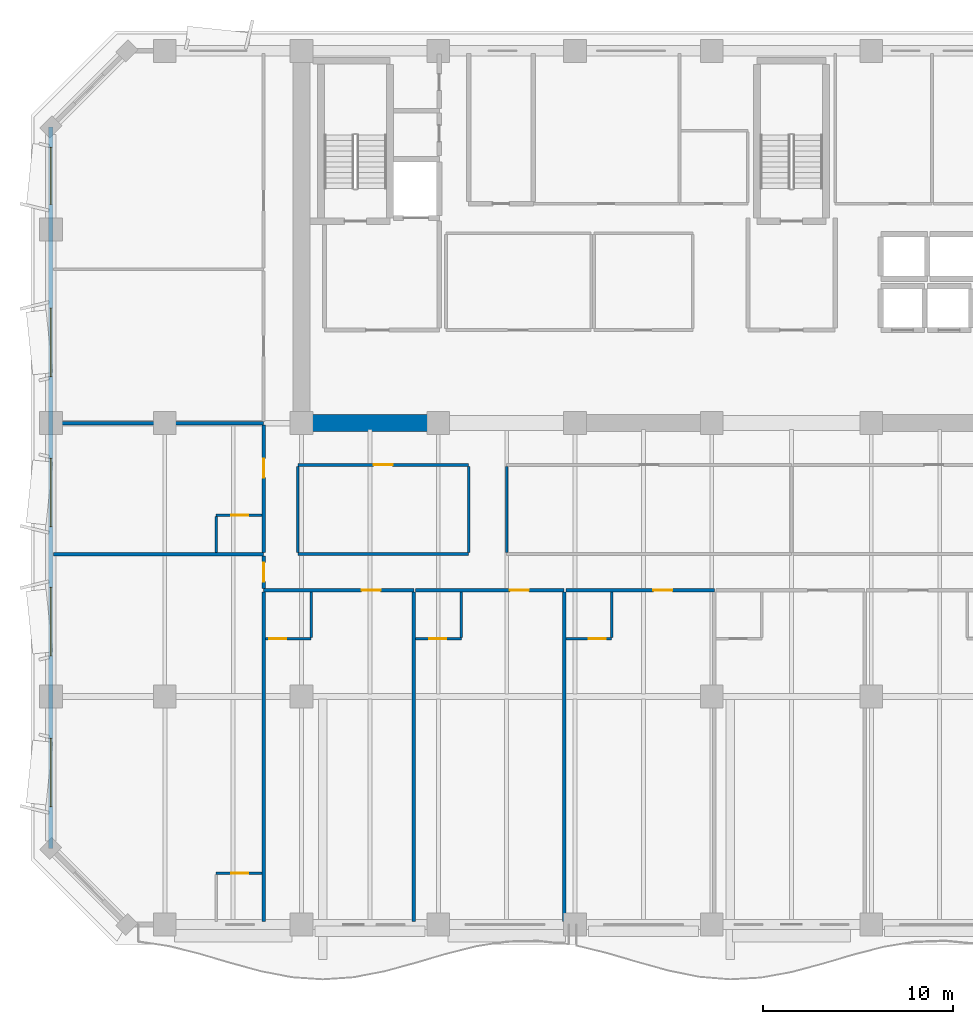
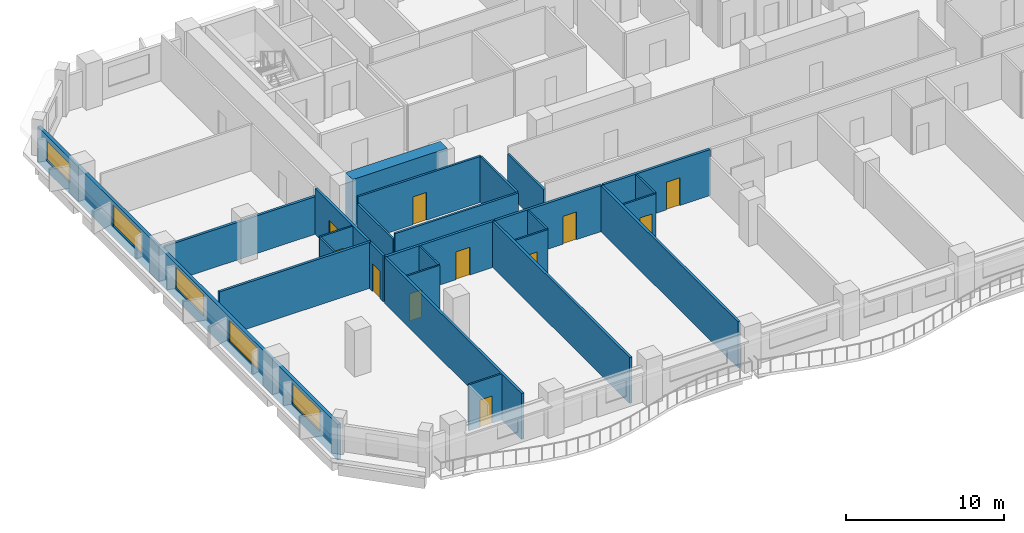
# One storey, part 4 of 15: 26 walls, 11 doors, 5 windows, 16 openings.
"""IFC4 building model written with IfcOpenShell, lengths in metres."""

import ifcopenshell
import ifcopenshell.guid

model = None  # the IFC model being written
_history = None  # IfcOwnerHistory: only IFC2X3 demands one
_inside = {}  # id of a spatial element -> (the spatial element, [elements in it])
_under = {}  # id of a project, library or spatial element -> (it, [spatial elements below it])
_declared = {}  # id of a project -> (the project, [libraries it declares])
_typed = {}  # id of a type object -> (the type object, [elements of that type])
_made_of = {}  # id of a material, layer set ... -> (it, [elements and type objects made of it])


def new_model(schema):
    """Start an empty IFC model of exactly this schema.

    Asked for "IFC4X3", IfcOpenShell would pick the latest addendum, in which some entities
    have other attributes; the version numbers below select the first issue.
    IFC2X3 requires an IfcOwnerHistory on every rooted entity: one is made here for all.
    """
    global model, _history
    if schema == "IFC4X3":
        model = ifcopenshell.file(schema_version=(4, 3, 0, 0))
    else:
        model = ifcopenshell.file(schema=schema)
    _inside.clear()
    _under.clear()
    _declared.clear()
    _typed.clear()
    _made_of.clear()
    _history = None
    if model.schema == "IFC2X3":
        org = make("IfcOrganization", Name="unknown")
        user = make(
            "IfcPersonAndOrganization",
            ThePerson=make("IfcPerson", FamilyName="unknown"),
            TheOrganization=org,
        )
        app = make(
            "IfcApplication",
            ApplicationDeveloper=org,
            Version="unknown",
            ApplicationFullName="unknown",
            ApplicationIdentifier="unknown",
        )
        _history = make(
            "IfcOwnerHistory",
            OwningUser=user,
            OwningApplication=app,
            ChangeAction="ADDED",
            CreationDate=0,
        )
    return model


def make(cls, **values):
    """One entity of the class cls with the attributes given. An attribute that is None is left unset."""
    return model.create_entity(
        cls, **{name: value for name, value in values.items() if value is not None}
    )


def rooted(cls, **values):
    """An entity with a GlobalId (a new one), such as an element, a storey or a relation."""
    return make(cls, GlobalId=ifcopenshell.guid.new(), OwnerHistory=_history, **values)


def si_unit(unit_type, name, prefix=None):
    """IfcSIUnit, for example si_unit("LENGTHUNIT", "METRE", prefix="MILLI")."""
    return make("IfcSIUnit", UnitType=unit_type, Prefix=prefix, Name=name)


def assignment(units):
    """IfcUnitAssignment: the units of a project."""
    return None if units is None else make("IfcUnitAssignment", Units=units)


def point(xyz):
    """IfcCartesianPoint."""
    return None if xyz is None else make("IfcCartesianPoint", Coordinates=xyz)


def direction(xyz):
    """IfcDirection."""
    return None if xyz is None else make("IfcDirection", DirectionRatios=xyz)


def frame(location, z_axis=None, x_axis=None):
    """IfcAxis2Placement3D, a coordinate frame: its origin and axes. An axis left out is left unset."""
    return make(
        "IfcAxis2Placement3D",
        Location=point(location),
        Axis=direction(z_axis),
        RefDirection=direction(x_axis),
    )


def frame_2d(location, x_axis=None):
    """IfcAxis2Placement2D, a coordinate frame in the plane: its origin and x axis."""
    return make(
        "IfcAxis2Placement2D", Location=point(location), RefDirection=direction(x_axis)
    )


def origin():
    """The frame at (0, 0, 0) with its axes left unset."""
    return frame((0.0, 0.0, 0.0))


def place(relative_to, where):
    """IfcLocalPlacement: puts the frame where relative to a parent placement (None: the world)."""
    return make(
        "IfcLocalPlacement", PlacementRelTo=relative_to, RelativePlacement=where
    )


def context(
    kind, dimensions, precision=None, world=None, true_north=None, identifier=None
):
    """IfcGeometricRepresentationContext, for example the 3D "Model" context."""
    return make(
        "IfcGeometricRepresentationContext",
        ContextIdentifier=identifier,
        ContextType=kind,
        CoordinateSpaceDimension=dimensions,
        Precision=precision,
        WorldCoordinateSystem=world,
        TrueNorth=true_north,
    )


def subcontext(parent, identifier, kind, view, scale=None):
    """IfcGeometricRepresentationSubContext, for example "Body" below "Model"."""
    return make(
        "IfcGeometricRepresentationSubContext",
        ContextIdentifier=identifier,
        ContextType=kind,
        ParentContext=parent,
        TargetScale=scale,
        TargetView=view,
    )


def project(units=None, contexts=None):
    """IfcProject with its units and contexts."""
    return rooted(
        "IfcProject",
        Name="project",
        RepresentationContexts=contexts,
        UnitsInContext=assignment(units),
    )


def spatial(cls, under=None, at=None, **own):
    """A site, building, storey or space (cls), placed at a placement, below another one or the project."""
    s = rooted(cls, ObjectPlacement=at, **own)
    if under is not None:
        _under.setdefault(under.id(), (under, []))[1].append(s)
    return s


def profile(cls, at=None, kind="AREA", **sizes):
    """A parametric profile (cls). Its sizes go by their IFC names, for example OverallWidth=200.0."""
    return make(cls, ProfileType=kind, Position=at, **sizes)


def rectangle(**sizes):
    """IfcRectangleProfileDef."""
    return profile("IfcRectangleProfileDef", **sizes)


def extrude(swept, where, along, depth):
    """IfcExtrudedAreaSolid: the profile swept, set in the frame where, extruded along a direction by depth."""
    return make(
        "IfcExtrudedAreaSolid",
        SweptArea=swept,
        Position=where,
        ExtrudedDirection=direction(along),
        Depth=depth,
    )


def shape(context_of_items, identifier, shape_type, items):
    """IfcShapeRepresentation: the items that make up one representation, for example the "Body"."""
    return make(
        "IfcShapeRepresentation",
        ContextOfItems=context_of_items,
        RepresentationIdentifier=identifier,
        RepresentationType=shape_type,
        Items=items,
    )


def material(Name=None, Category=None):
    """IfcMaterial."""
    return make("IfcMaterial", Name=Name, Category=Category)


def layer(
    of_material, thickness, ventilated=None, Name=None, Category=None, Priority=None
):
    """IfcMaterialLayer: one layer of a wall or slab, of a material (None: an air gap)."""
    return make(
        "IfcMaterialLayer",
        Material=of_material,
        LayerThickness=thickness,
        IsVentilated=ventilated,
        Name=Name,
        Category=Category,
        Priority=Priority,
    )


def layer_set(layers, Name=None):
    """IfcMaterialLayerSet."""
    return make("IfcMaterialLayerSet", MaterialLayers=layers, LayerSetName=Name)


def made_of(thing, what):
    """Note that an element or type object is made of a material, layer set ...; save() writes the relation."""
    if what is not None:
        _made_of.setdefault(what.id(), (what, []))[1].append(thing)
    return thing


def type_object(cls, material=None, **own):
    """A type object (cls), such as IfcWallType, which elements share."""
    return made_of(rooted(cls, **own), material)


def element(
    cls,
    number,
    at=None,
    inside=None,
    cuts=None,
    type_object=None,
    material=None,
    context=None,
    identifier="Body",
    shape_type=None,
    held_by="IfcProductDefinitionShape",
    body=None,
    shapes=None,
    **own,
):
    """One element of the class cls, such as IfcWall. Its Tag is "e" and its number.

    at: its placement. inside: the storey or other place that contains it. cuts: it is an
    opening in that element (IfcRelVoidsElement). A single representation is given by context,
    identifier, shape_type and body (its items); several are given by shapes. held_by: the class
    of the entity that holds the representations. save() writes the other relations.
    """
    e = rooted(cls, Tag="e%d" % number, ObjectPlacement=at, **own)
    if body is not None:
        shapes = [shape(context, identifier, shape_type, body)]
    if shapes is not None:
        e.Representation = make(held_by, Representations=shapes)
    if inside is not None:
        _inside.setdefault(inside.id(), (inside, []))[1].append(e)
    if cuts is not None:
        rooted(
            "IfcRelVoidsElement", RelatingBuildingElement=cuts, RelatedOpeningElement=e
        )
    if type_object is not None:
        _typed.setdefault(type_object.id(), (type_object, []))[1].append(e)
    return made_of(e, material)


def fill(opening, filler):
    """IfcRelFillsElement: the door or window that sits in an opening."""
    return rooted(
        "IfcRelFillsElement",
        RelatingOpeningElement=opening,
        RelatedBuildingElement=filler,
    )


def aggregate(whole, parts):
    """IfcRelAggregates: a whole, such as a stair, and the parts it consists of."""
    return rooted("IfcRelAggregates", RelatingObject=whole, RelatedObjects=parts)


def save(model, path):
    """Write the relations noted so far, then the file.

    IfcRelAggregates (storeys below a building ...), IfcRelContainedInSpatialStructure (elements
    in a storey), IfcRelDefinesByType, IfcRelAssociatesMaterial and IfcRelDeclares: one each for
    every whole, place, type object, material and project.
    """
    for whole, parts in _under.values():
        aggregate(whole, parts)
    for where, things in _inside.values():
        rooted(
            "IfcRelContainedInSpatialStructure",
            RelatedElements=things,
            RelatingStructure=where,
        )
    for kind, things in _typed.values():
        rooted("IfcRelDefinesByType", RelatedObjects=things, RelatingType=kind)
    for what, things in _made_of.values():
        rooted("IfcRelAssociatesMaterial", RelatedObjects=things, RelatingMaterial=what)
    for by, libraries in _declared.values():
        rooted("IfcRelDeclares", RelatingContext=by, RelatedDefinitions=libraries)
    model.write(path)


model = new_model("IFC4")

# Units and contexts
model_context = context("Model", 3, precision=1e-05, world=origin(), true_north=direction((0.0, 1.0)))
body_context = subcontext(model_context, "Body", "Model", "MODEL_VIEW")
ifc_project = project(units=[si_unit("LENGTHUNIT", "METRE"), si_unit("AREAUNIT", "SQUARE_METRE"), si_unit("VOLUMEUNIT", "CUBIC_METRE"), si_unit("PLANEANGLEUNIT", "RADIAN"), si_unit("MASSUNIT", "GRAM", prefix="KILO")], contexts=[model_context])

# Site, building, storey
site_placement = place(None, origin())
site = spatial("IfcSite", under=ifc_project, at=site_placement, CompositionType="ELEMENT")
building_placement = place(site_placement, origin())
building = spatial("IfcBuilding", under=site, at=building_placement, Name="Kaelvorn Grand Hotel", CompositionType="ELEMENT")
storey_placement = place(building_placement, frame((0.0, 0.0, 177.14990234375)))
storey = spatial("IfcBuildingStorey", under=building, at=storey_placement, Name="L43", CompositionType="ELEMENT", Elevation=177.14990234375)

# Wall
ifc_material_1 = material(Name="Concrete C60/75", Category="concrete")
ifc_layer_1 = layer(ifc_material_1, 0.89990234375)
ifc_layer_set_1 = layer_set([ifc_layer_1], Name="Concrete C60/75")
wall_type_1 = type_object("IfcWallType", Name="WL-CORE-900-C60", PredefinedType="SHEAR", material=ifc_layer_set_1)
wall_1_placement = place(storey_placement, frame((16.655029296875, 29.39990234375, 0.0), z_axis=(0.0, 0.0, 1.0), x_axis=(1.0, 0.0, 0.0)))
element("IfcWall", 1, at=wall_1_placement, inside=storey, type_object=wall_type_1, Name="L43 Rear-Core Coupled Shear Pier S1", PredefinedType="SHEAR", context=body_context, shape_type="SweptSolid", body=[
    extrude(rectangle(XDim=6.945068359375, YDim=0.89990234375, at=frame_2d((3.47265625, 0.0))), origin(), (0.0, 0.0, 1.0), 3.56005859375),
])

# Wall, openings, windows
ifc_material_2 = material(Name="Concrete C40/50", Category="concrete")
ifc_layer_2 = layer(ifc_material_2, 0.239990234375)
ifc_layer_set_2 = layer_set([ifc_layer_2], Name="Concrete C40/50")
wall_type_2 = type_object("IfcWallType", Name="WL-EXT-240-C40", PredefinedType="SOLIDWALL", material=ifc_layer_set_2)
wall_2_placement = place(storey_placement, frame((3.0, 45.0, 0.0), z_axis=(0.0, 0.0, 1.0), x_axis=(0.0, -1.0, 0.0)))
wall_2 = element("IfcWall", 2, at=wall_2_placement, inside=storey, type_object=wall_type_2, Name="L43 Exterior Architectural Concrete Wall 07", PredefinedType="SOLIDWALL", context=body_context, shape_type="SweptSolid", body=[
    extrude(rectangle(XDim=38.0, YDim=0.239990234375, at=frame_2d((19.0, 0.0))), origin(), (0.0, 0.0, 1.0), 2.760009765625),
])
opening_1_placement = place(wall_2_placement, frame((32.199951171875, 0.0, 0.85009765625)))
opening_1 = element("IfcOpeningElement", 3, at=opening_1_placement, cuts=wall_2, Name="Opening W3", PredefinedType="OPENING", context=body_context, shape_type="SweptSolid", body=[
    extrude(rectangle(XDim=3.60009765625, YDim=1.64990234375, at=frame_2d((1.800048828125, 0.824951171875))), frame((0.0, 0.1298828125, 0.0), z_axis=(0.0, -1.0, 0.0), x_axis=(1.0, 0.0, 0.0)), (0.0, 0.0, 1.0), 0.260009765625),
])
opening_2_placement = place(wall_2_placement, frame((24.25, 0.0, 0.85009765625)))
opening_2 = element("IfcOpeningElement", 4, at=opening_2_placement, cuts=wall_2, Name="Opening W3", PredefinedType="OPENING", context=body_context, shape_type="SweptSolid", body=[
    extrude(rectangle(XDim=3.60009765625, YDim=1.64990234375, at=frame_2d((1.800048828125, 0.824951171875))), frame((0.0, 0.1298828125, 0.0), z_axis=(0.0, -1.0, 0.0), x_axis=(1.0, 0.0, 0.0)), (0.0, 0.0, 1.0), 0.260009765625),
])
opening_3_placement = place(wall_2_placement, frame((17.449951171875, 0.0, 0.85009765625)))
opening_3 = element("IfcOpeningElement", 5, at=opening_3_placement, cuts=wall_2, Name="Opening W3", PredefinedType="OPENING", context=body_context, shape_type="SweptSolid", body=[
    extrude(rectangle(XDim=3.60009765625, YDim=1.64990234375, at=frame_2d((1.800048828125, 0.824951171875))), frame((0.0, 0.1298828125, 0.0), z_axis=(0.0, -1.0, 0.0), x_axis=(1.0, 0.0, 0.0)), (0.0, 0.0, 1.0), 0.260009765625),
])
opening_4_placement = place(wall_2_placement, frame((9.550048828125, 0.0, 0.85009765625)))
opening_4 = element("IfcOpeningElement", 6, at=opening_4_placement, cuts=wall_2, Name="Opening W3", PredefinedType="OPENING", context=body_context, shape_type="SweptSolid", body=[
    extrude(rectangle(XDim=3.60009765625, YDim=1.64990234375, at=frame_2d((1.800048828125, 0.824951171875))), frame((0.0, 0.1298828125, 0.0), z_axis=(0.0, -1.0, 0.0), x_axis=(1.0, 0.0, 0.0)), (0.0, 0.0, 1.0), 0.260009765625),
])
opening_5_placement = place(wall_2_placement, frame((1.0849609375, 0.0, 0.85009765625)))
opening_5 = element("IfcOpeningElement", 7, at=opening_5_placement, cuts=wall_2, Name="Opening W5", PredefinedType="OPENING", context=body_context, shape_type="SweptSolid", body=[
    extrude(rectangle(XDim=3.0, YDim=1.5, at=frame_2d((1.5, 0.75))), frame((0.0, 0.1298828125, 0.0), z_axis=(0.0, -1.0, 0.0), x_axis=(1.0, 0.0, 0.0)), (0.0, 0.0, 1.0), 0.260009765625),
])
ifc_material_3 = material(Name="Laminated Low-E Glass", Category="glass")
window_type_1 = type_object("IfcWindowType", Name="WIN-NTH-3000x1500", PartitioningType="SINGLE_PANEL", PredefinedType="WINDOW", material=ifc_material_3)
window_1_placement = place(opening_5_placement, origin())
window_1 = element("IfcWindow", 8, at=window_1_placement, inside=storey, type_object=window_type_1, Name="L43 W Wing Tilted-Frame Ribbon Window W05", OverallHeight=1.5, OverallWidth=3.0, PartitioningType="SINGLE_PANEL", PredefinedType="WINDOW", context=body_context, shape_type="SweptSolid", body=[
    extrude(rectangle(XDim=3.0, YDim=1.5, at=frame_2d((1.5, 0.75))), frame((0.0, 0.030029296875, 0.0), z_axis=(0.0, -1.0, 0.0), x_axis=(1.0, 0.0, 0.0)), (0.0, 0.0, 1.0), 0.06005859375),
])
fill(opening_5, window_1)
window_type_2 = type_object("IfcWindowType", Name="WIN-RIB-3600x1750", PartitioningType="SINGLE_PANEL", PredefinedType="WINDOW", material=ifc_material_3)
window_2_placement = place(opening_1_placement, origin())
window_2 = element("IfcWindow", 9, at=window_2_placement, inside=storey, type_object=window_type_2, Name="L43 W Wing Tilted-Frame Ribbon Window W01", OverallHeight=1.64990234375, OverallWidth=3.60009765625, PartitioningType="SINGLE_PANEL", PredefinedType="WINDOW", context=body_context, shape_type="SweptSolid", body=[
    extrude(rectangle(XDim=3.60009765625, YDim=1.64990234375, at=frame_2d((1.800048828125, 0.824951171875))), frame((0.0, 0.030029296875, 0.0), z_axis=(0.0, -1.0, 0.0), x_axis=(1.0, 0.0, 0.0)), (0.0, 0.0, 1.0), 0.06005859375),
])
fill(opening_1, window_2)
window_3_placement = place(opening_2_placement, origin())
window_3 = element("IfcWindow", 10, at=window_3_placement, inside=storey, type_object=window_type_2, Name="L43 W Wing Tilted-Frame Ribbon Window W02", OverallHeight=1.64990234375, OverallWidth=3.60009765625, PartitioningType="SINGLE_PANEL", PredefinedType="WINDOW", context=body_context, shape_type="SweptSolid", body=[
    extrude(rectangle(XDim=3.60009765625, YDim=1.64990234375, at=frame_2d((1.800048828125, 0.824951171875))), frame((0.0, 0.030029296875, 0.0), z_axis=(0.0, -1.0, 0.0), x_axis=(1.0, 0.0, 0.0)), (0.0, 0.0, 1.0), 0.06005859375),
])
fill(opening_2, window_3)
window_4_placement = place(opening_3_placement, origin())
window_4 = element("IfcWindow", 11, at=window_4_placement, inside=storey, type_object=window_type_2, Name="L43 W Wing Tilted-Frame Ribbon Window W03", OverallHeight=1.64990234375, OverallWidth=3.60009765625, PartitioningType="SINGLE_PANEL", PredefinedType="WINDOW", context=body_context, shape_type="SweptSolid", body=[
    extrude(rectangle(XDim=3.60009765625, YDim=1.64990234375, at=frame_2d((1.800048828125, 0.824951171875))), frame((0.0, 0.030029296875, 0.0), z_axis=(0.0, -1.0, 0.0), x_axis=(1.0, 0.0, 0.0)), (0.0, 0.0, 1.0), 0.06005859375),
])
fill(opening_3, window_4)
window_5_placement = place(opening_4_placement, origin())
window_5 = element("IfcWindow", 12, at=window_5_placement, inside=storey, type_object=window_type_2, Name="L43 W Wing Tilted-Frame Ribbon Window W04", OverallHeight=1.64990234375, OverallWidth=3.60009765625, PartitioningType="SINGLE_PANEL", PredefinedType="WINDOW", context=body_context, shape_type="SweptSolid", body=[
    extrude(rectangle(XDim=3.60009765625, YDim=1.64990234375, at=frame_2d((1.800048828125, 0.824951171875))), frame((0.0, 0.030029296875, 0.0), z_axis=(0.0, -1.0, 0.0), x_axis=(1.0, 0.0, 0.0)), (0.0, 0.0, 1.0), 0.06005859375),
])
fill(opening_4, window_5)

# Wall, opening, door
ifc_material_4 = material(Name="Moisture-Resistant Tile & Stud Board")
ifc_layer_3 = layer(ifc_material_4, 0.125)
ifc_layer_set_3 = layer_set([ifc_layer_3], Name="Moisture-Resistant Tile & Stud Board")
wall_type_3 = type_object("IfcWallType", Name="WL-PART-125-WET", PredefinedType="PARTITIONING", material=ifc_layer_set_3)
wall_3_placement = place(storey_placement, frame((14.294921875, 18.050048828125, 0.0), z_axis=(0.0, 0.0, 1.0), x_axis=(1.0, 0.0, 0.0)))
wall_3 = element("IfcWall", 13, at=wall_3_placement, inside=storey, type_object=wall_type_3, Name="L43 En-suite Bathroom L43-01 S Partition", PredefinedType="PARTITIONING", context=body_context, shape_type="SweptSolid", body=[
    extrude(rectangle(XDim=2.405029296875, YDim=0.125, at=frame_2d((1.20263671875, 0.0))), origin(), (0.0, 0.0, 1.0), 3.56005859375),
])
opening_6_placement = place(wall_3_placement, frame((0.205078125, 0.0, 0.0)))
opening_6 = element("IfcOpeningElement", 14, at=opening_6_placement, cuts=wall_3, Name="Opening DI4", PredefinedType="OPENING", context=body_context, shape_type="SweptSolid", body=[
    extrude(rectangle(XDim=0.89990234375, YDim=2.10009765625, at=frame_2d((0.449951171875, 1.050048828125))), frame((0.0, 0.072509765625, 0.0), z_axis=(0.0, -1.0, 0.0), x_axis=(1.0, 0.0, 0.0)), (0.0, 0.0, 1.0), 0.14501953125),
])
ifc_material_5 = material(Name="Timber Veneer Leaf", Category="wood")
door_type_1 = type_object("IfcDoorType", Name="DR-INT-BATH-900x2100", OperationType="NOTDEFINED", PredefinedType="DOOR", material=ifc_material_5)
door_1_placement = place(opening_6_placement, origin())
door_1 = element("IfcDoor", 15, at=door_1_placement, inside=storey, type_object=door_type_1, Name="L43 En-suite Bathroom L43-01 Door", OperationType="SINGLE_SWING_RIGHT", OverallHeight=2.10009765625, OverallWidth=0.89990234375, PredefinedType="DOOR", context=body_context, shape_type="SweptSolid", body=[
    extrude(rectangle(XDim=0.89990234375, YDim=2.10009765625, at=frame_2d((0.449951171875, 1.050048828125))), frame((0.0, 0.02490234375, 0.0), z_axis=(0.0, -1.0, 0.0), x_axis=(1.0, 0.0, 0.0)), (0.0, 0.0, 1.0), 0.050048828125),
])
fill(opening_6, door_1)

# Wall
wall_4_placement = place(storey_placement, frame((16.699951171875, 18.117431640625, 0.0), z_axis=(0.0, 0.0, 1.0), x_axis=(0.0, 1.0, 0.0)))
element("IfcWall", 16, at=wall_4_placement, inside=storey, type_object=wall_type_3, Name="L43 En-suite Bathroom L43-01 E Partition", PredefinedType="PARTITIONING", context=body_context, shape_type="SweptSolid", body=[
    extrude(rectangle(XDim=2.387451171875, YDim=0.125, at=frame_2d((1.19384765625, 0.0))), origin(), (0.0, 0.0, 1.0), 3.56005859375),
])

# Wall, opening, door
wall_5_placement = place(storey_placement, frame((22.207275390625, 18.050048828125, 0.0), z_axis=(0.0, 0.0, 1.0), x_axis=(1.0, 0.0, 0.0)))
wall_5 = element("IfcWall", 17, at=wall_5_placement, inside=storey, type_object=wall_type_3, Name="L43 En-suite Bathroom L43-02 S Partition", PredefinedType="PARTITIONING", context=body_context, shape_type="SweptSolid", body=[
    extrude(rectangle(XDim=2.405029296875, YDim=0.125, at=frame_2d((1.20263671875, 0.0))), origin(), (0.0, 0.0, 1.0), 3.56005859375),
])
opening_7_placement = place(wall_5_placement, frame((0.705078125, 0.0, 0.0)))
opening_7 = element("IfcOpeningElement", 18, at=opening_7_placement, cuts=wall_5, Name="Opening DI4", PredefinedType="OPENING", context=body_context, shape_type="SweptSolid", body=[
    extrude(rectangle(XDim=0.89990234375, YDim=2.10009765625, at=frame_2d((0.449951171875, 1.050048828125))), frame((0.0, 0.072509765625, 0.0), z_axis=(0.0, -1.0, 0.0), x_axis=(1.0, 0.0, 0.0)), (0.0, 0.0, 1.0), 0.14501953125),
])
door_2_placement = place(opening_7_placement, origin())
door_2 = element("IfcDoor", 19, at=door_2_placement, inside=storey, type_object=door_type_1, Name="L43 En-suite Bathroom L43-02 Door", OperationType="SINGLE_SWING_RIGHT", OverallHeight=2.10009765625, OverallWidth=0.89990234375, PredefinedType="DOOR", context=body_context, shape_type="SweptSolid", body=[
    extrude(rectangle(XDim=0.89990234375, YDim=2.10009765625, at=frame_2d((0.449951171875, 1.050048828125))), frame((0.0, 0.02490234375, 0.0), z_axis=(0.0, -1.0, 0.0), x_axis=(1.0, 0.0, 0.0)), (0.0, 0.0, 1.0), 0.050048828125),
])
fill(opening_7, door_2)

# Wall
wall_6_placement = place(storey_placement, frame((24.6123046875, 18.117431640625, 0.0), z_axis=(0.0, 0.0, 1.0), x_axis=(0.0, 1.0, 0.0)))
element("IfcWall", 20, at=wall_6_placement, inside=storey, type_object=wall_type_3, Name="L43 En-suite Bathroom L43-02 E Partition", PredefinedType="PARTITIONING", context=body_context, shape_type="SweptSolid", body=[
    extrude(rectangle(XDim=2.387451171875, YDim=0.125, at=frame_2d((1.19384765625, 0.0))), origin(), (0.0, 0.0, 1.0), 3.56005859375),
])

# Wall, opening, door
wall_7_placement = place(storey_placement, frame((30.11962890625, 18.050048828125, 0.0), z_axis=(0.0, 0.0, 1.0), x_axis=(1.0, 0.0, 0.0)))
wall_7 = element("IfcWall", 21, at=wall_7_placement, inside=storey, type_object=wall_type_3, Name="L43 En-suite Bathroom L43-03 S Partition", PredefinedType="PARTITIONING", context=body_context, shape_type="SweptSolid", body=[
    extrude(rectangle(XDim=2.405029296875, YDim=0.125, at=frame_2d((1.20263671875, 0.0))), origin(), (0.0, 0.0, 1.0), 3.56005859375),
])
opening_8_placement = place(wall_7_placement, frame((1.205078125, 0.0, 0.0)))
opening_8 = element("IfcOpeningElement", 22, at=opening_8_placement, cuts=wall_7, Name="Opening DI4", PredefinedType="OPENING", context=body_context, shape_type="SweptSolid", body=[
    extrude(rectangle(XDim=0.89990234375, YDim=2.10009765625, at=frame_2d((0.449951171875, 1.050048828125))), frame((0.0, 0.072509765625, 0.0), z_axis=(0.0, -1.0, 0.0), x_axis=(1.0, 0.0, 0.0)), (0.0, 0.0, 1.0), 0.14501953125),
])
door_3_placement = place(opening_8_placement, origin())
door_3 = element("IfcDoor", 23, at=door_3_placement, inside=storey, type_object=door_type_1, Name="L43 En-suite Bathroom L43-03 Door", OperationType="SINGLE_SWING_RIGHT", OverallHeight=2.10009765625, OverallWidth=0.89990234375, PredefinedType="DOOR", context=body_context, shape_type="SweptSolid", body=[
    extrude(rectangle(XDim=0.89990234375, YDim=2.10009765625, at=frame_2d((0.449951171875, 1.050048828125))), frame((0.0, 0.02490234375, 0.0), z_axis=(0.0, -1.0, 0.0), x_axis=(1.0, 0.0, 0.0)), (0.0, 0.0, 1.0), 0.050048828125),
])
fill(opening_8, door_3)

# Wall
wall_8_placement = place(storey_placement, frame((32.524658203125, 18.117431640625, 0.0), z_axis=(0.0, 0.0, 1.0), x_axis=(0.0, 1.0, 0.0)))
element("IfcWall", 24, at=wall_8_placement, inside=storey, type_object=wall_type_3, Name="L43 En-suite Bathroom L43-03 E Partition", PredefinedType="PARTITIONING", context=body_context, shape_type="SweptSolid", body=[
    extrude(rectangle(XDim=2.387451171875, YDim=0.125, at=frame_2d((1.19384765625, 0.0))), origin(), (0.0, 0.0, 1.0), 3.56005859375),
])

# Wall, opening, door
wall_9_placement = place(storey_placement, frame((11.699951171875, 5.699951171875, 0.0), z_axis=(0.0, 0.0, 1.0), x_axis=(1.0, 0.0, 0.0)))
wall_9 = element("IfcWall", 25, at=wall_9_placement, inside=storey, type_object=wall_type_3, Name="L43 En-suite Bathroom L43-08 N Partition", PredefinedType="PARTITIONING", context=body_context, shape_type="SweptSolid", body=[
    extrude(rectangle(XDim=2.405029296875, YDim=0.125, at=frame_2d((1.20263671875, 0.0))), origin(), (0.0, 0.0, 1.0), 3.56005859375),
])
opening_9_placement = place(wall_9_placement, frame((0.800048828125, 0.0, 0.0)))
opening_9 = element("IfcOpeningElement", 26, at=opening_9_placement, cuts=wall_9, Name="Opening DI4", PredefinedType="OPENING", context=body_context, shape_type="SweptSolid", body=[
    extrude(rectangle(XDim=0.89990234375, YDim=2.10009765625, at=frame_2d((0.449951171875, 1.050048828125))), frame((0.0, 0.072509765625, 0.0), z_axis=(0.0, -1.0, 0.0), x_axis=(1.0, 0.0, 0.0)), (0.0, 0.0, 1.0), 0.14501953125),
])
door_4_placement = place(opening_9_placement, origin())
door_4 = element("IfcDoor", 27, at=door_4_placement, inside=storey, type_object=door_type_1, Name="L43 En-suite Bathroom L43-08 Door", OperationType="SINGLE_SWING_RIGHT", OverallHeight=2.10009765625, OverallWidth=0.89990234375, PredefinedType="DOOR", context=body_context, shape_type="SweptSolid", body=[
    extrude(rectangle(XDim=0.89990234375, YDim=2.10009765625, at=frame_2d((0.449951171875, 1.050048828125))), frame((0.0, 0.02490234375, 0.0), z_axis=(0.0, -1.0, 0.0), x_axis=(1.0, 0.0, 0.0)), (0.0, 0.0, 1.0), 0.050048828125),
])
fill(opening_9, door_4)

wall_10_placement = place(storey_placement, frame((11.699951171875, 24.550048828125, 0.0), z_axis=(0.0, 0.0, 1.0), x_axis=(1.0, 0.0, 0.0)))
wall_10 = element("IfcWall", 28, at=wall_10_placement, inside=storey, type_object=wall_type_3, Name="L43 En-suite Bathroom L43-09 N Partition", PredefinedType="PARTITIONING", context=body_context, shape_type="SweptSolid", body=[
    extrude(rectangle(XDim=2.405029296875, YDim=0.125, at=frame_2d((1.20263671875, 0.0))), origin(), (0.0, 0.0, 1.0), 3.56005859375),
])
opening_10_placement = place(wall_10_placement, frame((0.800048828125, 0.0, 0.0)))
opening_10 = element("IfcOpeningElement", 29, at=opening_10_placement, cuts=wall_10, Name="Opening DI4", PredefinedType="OPENING", context=body_context, shape_type="SweptSolid", body=[
    extrude(rectangle(XDim=0.89990234375, YDim=2.10009765625, at=frame_2d((0.449951171875, 1.050048828125))), frame((0.0, 0.072509765625, 0.0), z_axis=(0.0, -1.0, 0.0), x_axis=(1.0, 0.0, 0.0)), (0.0, 0.0, 1.0), 0.14501953125),
])
door_5_placement = place(opening_10_placement, origin())
door_5 = element("IfcDoor", 30, at=door_5_placement, inside=storey, type_object=door_type_1, Name="L43 En-suite Bathroom L43-09 Door", OperationType="SINGLE_SWING_RIGHT", OverallHeight=2.10009765625, OverallWidth=0.89990234375, PredefinedType="DOOR", context=body_context, shape_type="SweptSolid", body=[
    extrude(rectangle(XDim=0.89990234375, YDim=2.10009765625, at=frame_2d((0.449951171875, 1.050048828125))), frame((0.0, 0.02490234375, 0.0), z_axis=(0.0, -1.0, 0.0), x_axis=(1.0, 0.0, 0.0)), (0.0, 0.0, 1.0), 0.050048828125),
])
fill(opening_10, door_5)

# Walls
wall_11_placement = place(storey_placement, frame((11.699951171875, 22.594970703125, 0.0), z_axis=(0.0, 0.0, 1.0), x_axis=(0.0, 1.0, 0.0)))
element("IfcWall", 31, at=wall_11_placement, inside=storey, type_object=wall_type_3, Name="L43 En-suite Bathroom L43-09 W Partition", PredefinedType="PARTITIONING", context=body_context, shape_type="SweptSolid", body=[
    extrude(rectangle(XDim=1.887451171875, YDim=0.125, at=frame_2d((0.94384765625, 0.0))), origin(), (0.0, 0.0, 1.0), 3.56005859375),
])
ifc_material_6 = material(Name="Acoustic Gypsum & Stud Partition")
ifc_layer_4 = layer(ifc_material_6, 0.14990234375)
ifc_layer_set_4 = layer_set([ifc_layer_4], Name="Acoustic Gypsum & Stud Partition")
wall_type_4 = type_object("IfcWallType", Name="WL-PART-150-EI60", PredefinedType="PARTITIONING", material=ifc_layer_set_4)
wall_12_placement = place(storey_placement, frame((16.0, 22.5, 0.0), z_axis=(0.0, 0.0, 1.0), x_axis=(1.0, 0.0, 0.0)))
element("IfcWall", 32, at=wall_12_placement, inside=storey, type_object=wall_type_4, Name="L43 Private Cinema Lounge S Partition", PredefinedType="PARTITIONING", context=body_context, shape_type="SweptSolid", body=[
    extrude(rectangle(XDim=9.0, YDim=0.14990234375, at=frame_2d((4.5, 0.0))), origin(), (0.0, 0.0, 1.0), 3.56005859375),
])

# Wall, opening, door
wall_13_placement = place(storey_placement, frame((16.0, 27.199951171875, 0.0), z_axis=(0.0, 0.0, 1.0), x_axis=(1.0, 0.0, 0.0)))
wall_13 = element("IfcWall", 33, at=wall_13_placement, inside=storey, type_object=wall_type_4, Name="L43 Private Cinema Lounge N Partition", PredefinedType="PARTITIONING", context=body_context, shape_type="SweptSolid", body=[
    extrude(rectangle(XDim=9.0, YDim=0.14990234375, at=frame_2d((4.5, 0.0))), origin(), (0.0, 0.0, 1.0), 3.56005859375),
])
opening_11_placement = place(wall_13_placement, frame((4.0, 0.0, 0.0)))
opening_11 = element("IfcOpeningElement", 34, at=opening_11_placement, cuts=wall_13, Name="Opening DI3", PredefinedType="OPENING", context=body_context, shape_type="SweptSolid", body=[
    extrude(rectangle(XDim=1.0, YDim=2.14990234375, at=frame_2d((0.5, 1.074951171875))), frame((0.0, 0.0849609375, 0.0), z_axis=(0.0, -1.0, 0.0), x_axis=(1.0, 0.0, 0.0)), (0.0, 0.0, 1.0), 0.169921875),
])
ifc_material_7 = material(Name="Timber Veneer Fire Leaf", Category="wood")
door_type_2 = type_object("IfcDoorType", Name="DR-INT-GUEST-1000x2150", OperationType="NOTDEFINED", PredefinedType="DOOR", material=ifc_material_7)
door_6_placement = place(opening_11_placement, origin())
door_6 = element("IfcDoor", 35, at=door_6_placement, inside=storey, type_object=door_type_2, Name="L43 Private Cinema Lounge Door", OperationType="SINGLE_SWING_LEFT", OverallHeight=2.14990234375, OverallWidth=1.0, PredefinedType="DOOR", context=body_context, shape_type="SweptSolid", body=[
    extrude(rectangle(XDim=1.0, YDim=2.14990234375, at=frame_2d((0.5, 1.074951171875))), frame((0.0, 0.02490234375, 0.0), z_axis=(0.0, -1.0, 0.0), x_axis=(1.0, 0.0, 0.0)), (0.0, 0.0, 1.0), 0.050048828125),
])
fill(opening_11, door_6)

# Walls
wall_14_placement = place(storey_placement, frame((16.0, 22.580078125, 0.0), z_axis=(0.0, 0.0, 1.0), x_axis=(0.0, 1.0, 0.0)))
element("IfcWall", 36, at=wall_14_placement, inside=storey, type_object=wall_type_4, Name="L43 Private Cinema Lounge W Partition", PredefinedType="PARTITIONING", context=body_context, shape_type="SweptSolid", body=[
    extrude(rectangle(XDim=4.5400390625, YDim=0.14990234375, at=frame_2d((2.27001953125, 0.0))), origin(), (0.0, 0.0, 1.0), 3.06005859375),
])
wall_15_placement = place(storey_placement, frame((25.0, 22.580078125, 0.0), z_axis=(0.0, 0.0, 1.0), x_axis=(0.0, 1.0, 0.0)))
element("IfcWall", 37, at=wall_15_placement, inside=storey, type_object=wall_type_4, Name="L43 Private Cinema Lounge E Partition", PredefinedType="PARTITIONING", context=body_context, shape_type="SweptSolid", body=[
    extrude(rectangle(XDim=4.5400390625, YDim=0.14990234375, at=frame_2d((2.27001953125, 0.0))), origin(), (0.0, 0.0, 1.0), 3.56005859375),
])
wall_16_placement = place(storey_placement, frame((27.0, 22.580078125, 0.0), z_axis=(0.0, 0.0, 1.0), x_axis=(0.0, 1.0, 0.0)))
element("IfcWall", 38, at=wall_16_placement, inside=storey, type_object=wall_type_4, Name="L43 Sommelier Wine Bar W Partition", PredefinedType="PARTITIONING", context=body_context, shape_type="SweptSolid", body=[
    extrude(rectangle(XDim=4.5400390625, YDim=0.14990234375, at=frame_2d((2.27001953125, 0.0))), origin(), (0.0, 0.0, 1.0), 3.06005859375),
])

# Wall, opening, door
ifc_layer_5 = layer(ifc_material_6, 0.179931640625)
ifc_layer_set_5 = layer_set([ifc_layer_5], Name="Acoustic Gypsum & Stud Partition")
wall_type_5 = type_object("IfcWallType", Name="WL-PART-180-EI60", PredefinedType="PARTITIONING", material=ifc_layer_set_5)
wall_17_placement = place(storey_placement, frame((14.199951171875, 20.60009765625, 0.0), z_axis=(0.0, 0.0, 1.0), x_axis=(1.0, 0.0, 0.0)))
wall_17 = element("IfcWall", 39, at=wall_17_placement, inside=storey, type_object=wall_type_5, Name="L43 Mid-Rise Signature Suite L43-01 N Partition", PredefinedType="PARTITIONING", context=body_context, shape_type="SweptSolid", body=[
    extrude(rectangle(XDim=7.912353515625, YDim=0.179931640625, at=frame_2d((3.9560546875, 0.0))), origin(), (0.0, 0.0, 1.0), 3.56005859375),
])
opening_12_placement = place(wall_17_placement, frame((5.156005859375, 0.0, 0.0)))
opening_12 = element("IfcOpeningElement", 40, at=opening_12_placement, cuts=wall_17, Name="Opening DI3", PredefinedType="OPENING", context=body_context, shape_type="SweptSolid", body=[
    extrude(rectangle(XDim=1.0, YDim=2.14990234375, at=frame_2d((0.5, 1.074951171875))), frame((0.0, 0.10009765625, 0.0), z_axis=(0.0, -1.0, 0.0), x_axis=(1.0, 0.0, 0.0)), (0.0, 0.0, 1.0), 0.199951171875),
])
door_7_placement = place(opening_12_placement, origin())
door_7 = element("IfcDoor", 41, at=door_7_placement, inside=storey, type_object=door_type_2, Name="L43 Mid-Rise Signature Suite L43-01 Door", OperationType="SINGLE_SWING_LEFT", OverallHeight=2.14990234375, OverallWidth=1.0, PredefinedType="DOOR", context=body_context, shape_type="SweptSolid", body=[
    extrude(rectangle(XDim=1.0, YDim=2.14990234375, at=frame_2d((0.5, 1.074951171875))), frame((0.0, 0.02490234375, 0.0), z_axis=(0.0, -1.0, 0.0), x_axis=(1.0, 0.0, 0.0)), (0.0, 0.0, 1.0), 0.050048828125),
])
fill(opening_12, door_7)

# Walls
for number, where, z_axis, x_axis, name in (
    (42, (14.199951171875, 3.14990234375, 0.0), (0.0, 0.0, 1.0), (0.0, 1.0, 0.0), "L43 Mid-Rise Signature Suite L43-01 W Partition"),
    (43, (22.1123046875, 3.14990234375, 0.0), (0.0, 0.0, 1.0), (0.0, 1.0, 0.0), "L43 Mid-Rise Signature Suite L43-01 E Partition"),
):
    element("IfcWall", number, at=place(storey_placement, frame(where, z_axis=z_axis, x_axis=x_axis)), inside=storey, type_object=wall_type_5, Name=name, PredefinedType="PARTITIONING", context=body_context, shape_type="SweptSolid", body=[
        extrude(rectangle(XDim=17.35498046875, YDim=0.179931640625, at=frame_2d((8.677490234375, 0.0))), origin(), (0.0, 0.0, 1.0), 3.56005859375),
    ])

# Wall, opening, door
wall_18_placement = place(storey_placement, frame((22.207275390625, 20.60009765625, 0.0), z_axis=(0.0, 0.0, 1.0), x_axis=(1.0, 0.0, 0.0)))
wall_18 = element("IfcWall", 44, at=wall_18_placement, inside=storey, type_object=wall_type_5, Name="L43 Mid-Rise Signature Suite L43-02 N Partition", PredefinedType="PARTITIONING", context=body_context, shape_type="SweptSolid", body=[
    extrude(rectangle(XDim=7.8173828125, YDim=0.179931640625, at=frame_2d((3.90869140625, 0.0))), origin(), (0.0, 0.0, 1.0), 3.56005859375),
])
opening_13_placement = place(wall_18_placement, frame((4.958984375, 0.0, 0.0)))
opening_13 = element("IfcOpeningElement", 45, at=opening_13_placement, cuts=wall_18, Name="Opening DI3", PredefinedType="OPENING", context=body_context, shape_type="SweptSolid", body=[
    extrude(rectangle(XDim=1.0, YDim=2.14990234375, at=frame_2d((0.5, 1.074951171875))), frame((0.0, 0.10009765625, 0.0), z_axis=(0.0, -1.0, 0.0), x_axis=(1.0, 0.0, 0.0)), (0.0, 0.0, 1.0), 0.199951171875),
])
door_8_placement = place(opening_13_placement, origin())
door_8 = element("IfcDoor", 46, at=door_8_placement, inside=storey, type_object=door_type_2, Name="L43 Mid-Rise Signature Suite L43-02 Door", OperationType="SINGLE_SWING_LEFT", OverallHeight=2.14990234375, OverallWidth=1.0, PredefinedType="DOOR", context=body_context, shape_type="SweptSolid", body=[
    extrude(rectangle(XDim=1.0, YDim=2.14990234375, at=frame_2d((0.5, 1.074951171875))), frame((0.0, 0.02490234375, 0.0), z_axis=(0.0, -1.0, 0.0), x_axis=(1.0, 0.0, 0.0)), (0.0, 0.0, 1.0), 0.050048828125),
])
fill(opening_13, door_8)

# Wall
wall_19_placement = place(storey_placement, frame((30.024658203125, 3.14990234375, 0.0), z_axis=(0.0, 0.0, 1.0), x_axis=(0.0, 1.0, 0.0)))
element("IfcWall", 47, at=wall_19_placement, inside=storey, type_object=wall_type_5, Name="L43 Mid-Rise Signature Suite L43-02 E Partition", PredefinedType="PARTITIONING", context=body_context, shape_type="SweptSolid", body=[
    extrude(rectangle(XDim=17.35498046875, YDim=0.179931640625, at=frame_2d((8.677490234375, 0.0))), origin(), (0.0, 0.0, 1.0), 3.56005859375),
])

# Wall, opening, door
wall_20_placement = place(storey_placement, frame((30.11962890625, 20.60009765625, 0.0), z_axis=(0.0, 0.0, 1.0), x_axis=(1.0, 0.0, 0.0)))
wall_20 = element("IfcWall", 48, at=wall_20_placement, inside=storey, type_object=wall_type_5, Name="L43 Mid-Rise Signature Suite L43-03 N Partition", PredefinedType="PARTITIONING", context=body_context, shape_type="SweptSolid", body=[
    extrude(rectangle(XDim=7.8173828125, YDim=0.179931640625, at=frame_2d((3.90869140625, 0.0))), origin(), (0.0, 0.0, 1.0), 3.56005859375),
])
opening_14_placement = place(wall_20_placement, frame((4.602783203125, 0.0, 0.0)))
opening_14 = element("IfcOpeningElement", 49, at=opening_14_placement, cuts=wall_20, Name="Opening DI3", PredefinedType="OPENING", context=body_context, shape_type="SweptSolid", body=[
    extrude(rectangle(XDim=1.0, YDim=2.14990234375, at=frame_2d((0.5, 1.074951171875))), frame((0.0, 0.10009765625, 0.0), z_axis=(0.0, -1.0, 0.0), x_axis=(1.0, 0.0, 0.0)), (0.0, 0.0, 1.0), 0.199951171875),
])
door_9_placement = place(opening_14_placement, origin())
door_9 = element("IfcDoor", 50, at=door_9_placement, inside=storey, type_object=door_type_2, Name="L43 Mid-Rise Signature Suite L43-03 Door", OperationType="SINGLE_SWING_LEFT", OverallHeight=2.14990234375, OverallWidth=1.0, PredefinedType="DOOR", context=body_context, shape_type="SweptSolid", body=[
    extrude(rectangle(XDim=1.0, YDim=2.14990234375, at=frame_2d((0.5, 1.074951171875))), frame((0.0, 0.02490234375, 0.0), z_axis=(0.0, -1.0, 0.0), x_axis=(1.0, 0.0, 0.0)), (0.0, 0.0, 1.0), 0.050048828125),
])
fill(opening_14, door_9)

# Wall
wall_21_placement = place(storey_placement, frame((3.14990234375, 22.5, 0.0), z_axis=(0.0, 0.0, 1.0), x_axis=(1.0, 0.0, 0.0)))
element("IfcWall", 51, at=wall_21_placement, inside=storey, type_object=wall_type_5, Name="L43 South-West Chamfer Suite L43-08 N Partition", PredefinedType="PARTITIONING", context=body_context, shape_type="SweptSolid", body=[
    extrude(rectangle(XDim=11.050048828125, YDim=0.179931640625, at=frame_2d((5.52490234375, 0.0))), origin(), (0.0, 0.0, 1.0), 3.56005859375),
])

# Wall, opening, door
wall_22_placement = place(storey_placement, frame((14.199951171875, 20.695068359375, 0.0), z_axis=(0.0, 0.0, 1.0), x_axis=(0.0, 1.0, 0.0)))
wall_22 = element("IfcWall", 52, at=wall_22_placement, inside=storey, type_object=wall_type_5, Name="L43 South-West Chamfer Suite L43-08 E Partition", PredefinedType="PARTITIONING", context=body_context, shape_type="SweptSolid", body=[
    extrude(rectangle(XDim=1.7099609375, YDim=0.179931640625, at=frame_2d((0.85498046875, 0.0))), origin(), (0.0, 0.0, 1.0), 3.56005859375),
])
opening_15_placement = place(wall_22_placement, frame((0.35498046875, 0.0, 0.0)))
opening_15 = element("IfcOpeningElement", 53, at=opening_15_placement, cuts=wall_22, Name="Opening DI3", PredefinedType="OPENING", context=body_context, shape_type="SweptSolid", body=[
    extrude(rectangle(XDim=1.0, YDim=2.14990234375, at=frame_2d((0.5, 1.074951171875))), frame((0.0, 0.10009765625, 0.0), z_axis=(0.0, -1.0, 0.0), x_axis=(1.0, 0.0, 0.0)), (0.0, 0.0, 1.0), 0.199951171875),
])
door_10_placement = place(opening_15_placement, origin())
door_10 = element("IfcDoor", 54, at=door_10_placement, inside=storey, type_object=door_type_2, Name="L43 South-West Chamfer Suite L43-08 Door", OperationType="SINGLE_SWING_LEFT", OverallHeight=2.14990234375, OverallWidth=1.0, PredefinedType="DOOR", context=body_context, shape_type="SweptSolid", body=[
    extrude(rectangle(XDim=1.0, YDim=2.14990234375, at=frame_2d((0.5, 1.074951171875))), frame((0.0, 0.02490234375, 0.0), z_axis=(0.0, -1.0, 0.0), x_axis=(1.0, 0.0, 0.0)), (0.0, 0.0, 1.0), 0.050048828125),
])
fill(opening_15, door_10)

# Wall
wall_23_placement = place(storey_placement, frame((3.14990234375, 29.39990234375, 0.0), z_axis=(0.0, 0.0, 1.0), x_axis=(1.0, 0.0, 0.0)))
element("IfcWall", 55, at=wall_23_placement, inside=storey, type_object=wall_type_5, Name="L43 West End Panoramic Suite L43-09 N Partition", PredefinedType="PARTITIONING", context=body_context, shape_type="SweptSolid", body=[
    extrude(rectangle(XDim=11.050048828125, YDim=0.179931640625, at=frame_2d((5.52490234375, 0.0))), origin(), (0.0, 0.0, 1.0), 2.91015625),
])

# Wall, opening, door
wall_24_placement = place(storey_placement, frame((14.199951171875, 22.594970703125, 0.0), z_axis=(0.0, 0.0, 1.0), x_axis=(0.0, 1.0, 0.0)))
wall_24 = element("IfcWall", 56, at=wall_24_placement, inside=storey, type_object=wall_type_5, Name="L43 West End Panoramic Suite L43-09 E Partition", PredefinedType="PARTITIONING", context=body_context, shape_type="SweptSolid", body=[
    extrude(rectangle(XDim=6.7099609375, YDim=0.179931640625, at=frame_2d((3.35498046875, 0.0))), origin(), (0.0, 0.0, 1.0), 3.56005859375),
])
opening_16_placement = place(wall_24_placement, frame((3.93994140625, 0.0, 0.0)))
opening_16 = element("IfcOpeningElement", 57, at=opening_16_placement, cuts=wall_24, Name="Opening DI3", PredefinedType="OPENING", context=body_context, shape_type="SweptSolid", body=[
    extrude(rectangle(XDim=1.0, YDim=2.14990234375, at=frame_2d((0.5, 1.074951171875))), frame((0.0, 0.10009765625, 0.0), z_axis=(0.0, -1.0, 0.0), x_axis=(1.0, 0.0, 0.0)), (0.0, 0.0, 1.0), 0.199951171875),
])
door_11_placement = place(opening_16_placement, origin())
door_11 = element("IfcDoor", 58, at=door_11_placement, inside=storey, type_object=door_type_2, Name="L43 West End Panoramic Suite L43-09 Door", OperationType="SINGLE_SWING_LEFT", OverallHeight=2.14990234375, OverallWidth=1.0, PredefinedType="DOOR", context=body_context, shape_type="SweptSolid", body=[
    extrude(rectangle(XDim=1.0, YDim=2.14990234375, at=frame_2d((0.5, 1.074951171875))), frame((0.0, 0.02490234375, 0.0), z_axis=(0.0, -1.0, 0.0), x_axis=(1.0, 0.0, 0.0)), (0.0, 0.0, 1.0), 0.050048828125),
])
fill(opening_16, door_11)

save(model, "model.ifc")
